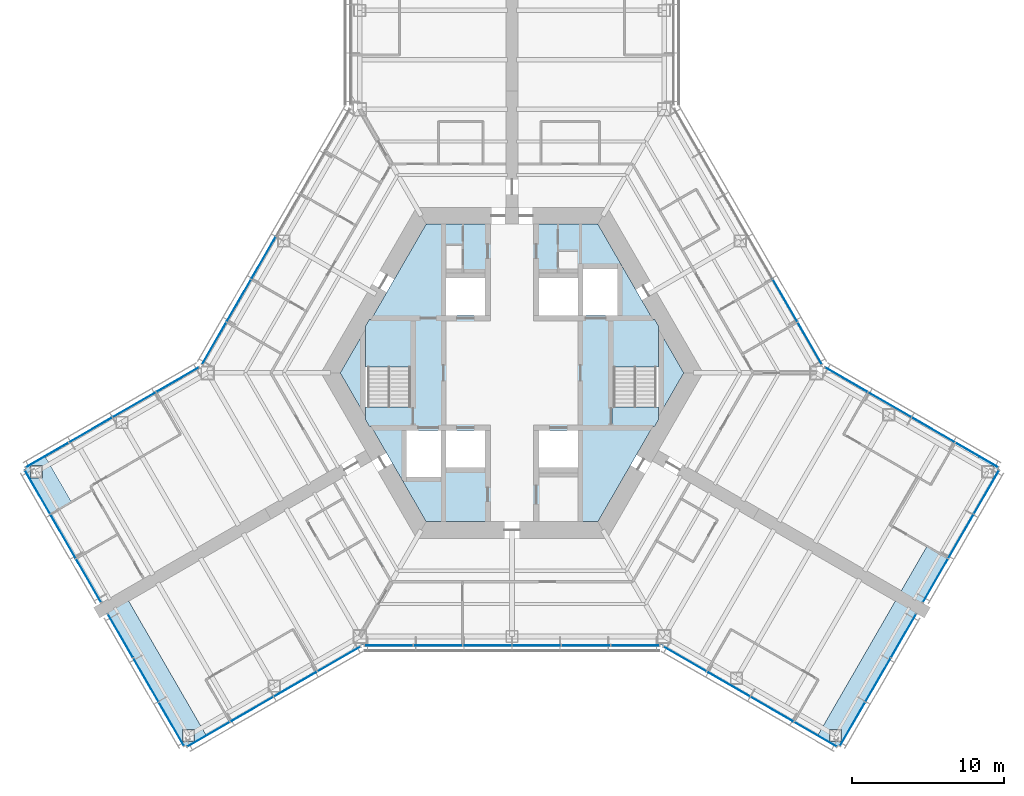
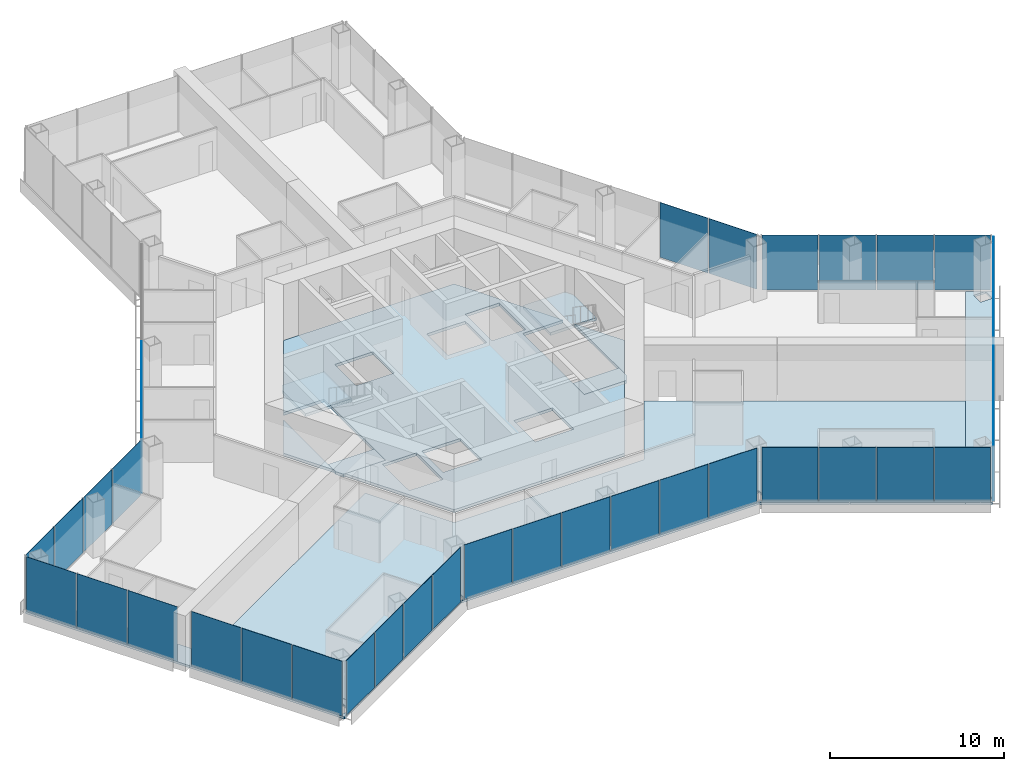
# One storey, part 10 of 19: 39 plates, 10 slabs, 13 elements without a shape of their own.
"""IFC4 building model written with IfcOpenShell, lengths in metres."""

from ifc_helpers import new_model, si_unit, direction, frame, origin, origin_2d, place, context, subcontext, project, spatial, polyline, rectangle, outline, extrude, material, layer, layer_set, type_object, element, aggregate, save


model = new_model("IFC4")

# Units and contexts
model_context = context("Model", 3, precision=1e-05, world=origin(), true_north=direction((0.0, 1.0)))
body_context = subcontext(model_context, "Body", "Model", "MODEL_VIEW")
ifc_project = project(units=[si_unit("LENGTHUNIT", "METRE"), si_unit("AREAUNIT", "SQUARE_METRE"), si_unit("VOLUMEUNIT", "CUBIC_METRE"), si_unit("PLANEANGLEUNIT", "RADIAN"), si_unit("MASSUNIT", "GRAM", prefix="KILO")], contexts=[model_context])

# Site, building, storey
site_placement = place(None, origin())
site = spatial("IfcSite", under=ifc_project, at=site_placement, CompositionType="ELEMENT")
building_placement = place(site_placement, origin())
building = spatial("IfcBuilding", under=site, at=building_placement, Name="Kasaneha Research Tower", CompositionType="ELEMENT")
storey_placement = place(building_placement, frame((0.0, 0.0, 104.10009765625)))
storey = spatial("IfcBuildingStorey", under=building, at=storey_placement, Name="L26", CompositionType="ELEMENT", Elevation=104.10009765625)

# Curtain wall, plates
ifc_material_1 = material(Name="Glass and aluminium", Category="aluminium")
curtain_wall_type = type_object("IfcCurtainWallType", Name="Low-rise office curtain wall", PredefinedType="USERDEFINED", material=ifc_material_1)
curtain_wall_1_placement = place(storey_placement, origin())
curtain_wall_1 = element("IfcCurtainWall", 1, at=curtain_wall_1_placement, inside=storey, type_object=curtain_wall_type, Name="CW-O1 L26 run 01a", ObjectType="UNITISED CURTAIN WALL", PredefinedType="USERDEFINED")
ifc_material_2 = material(Name="Laminated double glazing", Category="glass")
ifc_layer_1 = layer(ifc_material_2, 0.028076171875)
ifc_layer_set_1 = layer_set([ifc_layer_1], Name="CW-O1 glazed panel")
plate_type = type_object("IfcPlateType", Name="CW-O1 glazed panel", PredefinedType="CURTAIN_PANEL", material=ifc_layer_set_1)
plate_1_placement = place(storey_placement, frame((-19.945068359375, -23.755126953125, 0.06005859375), z_axis=(0.0, 0.0, 1.0), x_axis=(0.866025411464, 0.499999986699, 0.0)))
plate_1 = element("IfcPlate", 2, at=plate_1_placement, type_object=plate_type, Name="CW-O1 panel 1", PredefinedType="CURTAIN_PANEL", context=body_context, shape_type="SweptSolid", body=[
    extrude(rectangle(XDim=3.2197265625, YDim=0.028076171875, at=origin_2d()), origin(), (0.0, 0.0, 1.0), 3.840087890625),
])
plate_2_placement = place(storey_placement, frame((-17.091796875, -22.107666015625, 0.06005859375), z_axis=(0.0, 0.0, 1.0), x_axis=(0.866025411464, 0.499999986699, 0.0)))
plate_2 = element("IfcPlate", 3, at=plate_2_placement, type_object=plate_type, Name="CW-O1 panel 2", PredefinedType="CURTAIN_PANEL", context=body_context, shape_type="SweptSolid", body=[
    extrude(rectangle(XDim=3.249755859375, YDim=0.028076171875, at=origin_2d()), origin(), (0.0, 0.0, 1.0), 3.840087890625),
])
plate_3_placement = place(storey_placement, frame((-14.225341796875, -20.452880859375, 0.06005859375), z_axis=(0.0, 0.0, 1.0), x_axis=(0.866025411464, 0.499999986699, 0.0)))
plate_3 = element("IfcPlate", 4, at=plate_3_placement, type_object=plate_type, Name="CW-O1 panel 3", PredefinedType="CURTAIN_PANEL", context=body_context, shape_type="SweptSolid", body=[
    extrude(rectangle(XDim=3.249755859375, YDim=0.028076171875, at=origin_2d()), origin(), (0.0, 0.0, 1.0), 3.840087890625),
])
plate_4_placement = place(storey_placement, frame((-11.3720703125, -18.805419921875, 0.06005859375), z_axis=(0.0, 0.0, 1.0), x_axis=(0.866025411464, 0.499999986699, 0.0)))
plate_4 = element("IfcPlate", 5, at=plate_4_placement, type_object=plate_type, Name="CW-O1 panel 4", PredefinedType="CURTAIN_PANEL", context=body_context, shape_type="SweptSolid", body=[
    extrude(rectangle(XDim=3.2197265625, YDim=0.028076171875, at=origin_2d()), origin(), (0.0, 0.0, 1.0), 3.840087890625),
])
aggregate(curtain_wall_1, [plate_1, plate_2, plate_3, plate_4])

curtain_wall_2_placement = place(storey_placement, origin())
curtain_wall_2 = element("IfcCurtainWall", 6, at=curtain_wall_2_placement, inside=storey, type_object=curtain_wall_type, Name="CW-O1 L26 run 02a", ObjectType="UNITISED CURTAIN WALL", PredefinedType="USERDEFINED")
plate_5_placement = place(storey_placement, frame((-8.10107421875, -17.92041015625, 0.06005859375), z_axis=(0.0, 0.0, 1.0), x_axis=(1.0, 0.0, 0.0)))
plate_5 = element("IfcPlate", 7, at=plate_5_placement, type_object=plate_type, Name="CW-O1 panel 1", PredefinedType="CURTAIN_PANEL", context=body_context, shape_type="SweptSolid", body=[
    extrude(rectangle(XDim=3.156494140625, YDim=0.028076171875, at=origin_2d()), origin(), (0.0, 0.0, 1.0), 3.840087890625),
])
plate_6_placement = place(storey_placement, frame((-4.86962890625, -17.92041015625, 0.06005859375), z_axis=(0.0, 0.0, 1.0), x_axis=(1.0, 0.0, 0.0)))
plate_6 = element("IfcPlate", 8, at=plate_6_placement, type_object=plate_type, Name="CW-O1 panel 2", PredefinedType="CURTAIN_PANEL", context=body_context, shape_type="SweptSolid", body=[
    extrude(rectangle(XDim=3.1865234375, YDim=0.028076171875, at=origin_2d()), origin(), (0.0, 0.0, 1.0), 3.840087890625),
])
plate_7_placement = place(storey_placement, frame((-1.623291015625, -17.92041015625, 0.06005859375), z_axis=(0.0, 0.0, 1.0), x_axis=(1.0, 0.0, 0.0)))
plate_7 = element("IfcPlate", 9, at=plate_7_placement, type_object=plate_type, Name="CW-O1 panel 3", PredefinedType="CURTAIN_PANEL", context=body_context, shape_type="SweptSolid", body=[
    extrude(rectangle(XDim=3.1865234375, YDim=0.028076171875, at=origin_2d()), origin(), (0.0, 0.0, 1.0), 3.840087890625),
])
plate_8_placement = place(storey_placement, frame((1.623291015625, -17.92041015625, 0.06005859375), z_axis=(0.0, 0.0, 1.0), x_axis=(1.0, 0.0, 0.0)))
plate_8 = element("IfcPlate", 10, at=plate_8_placement, type_object=plate_type, Name="CW-O1 panel 4", PredefinedType="CURTAIN_PANEL", context=body_context, shape_type="SweptSolid", body=[
    extrude(rectangle(XDim=3.1865234375, YDim=0.028076171875, at=origin_2d()), origin(), (0.0, 0.0, 1.0), 3.840087890625),
])
plate_9_placement = place(storey_placement, frame((4.86962890625, -17.92041015625, 0.06005859375), z_axis=(0.0, 0.0, 1.0), x_axis=(1.0, 0.0, 0.0)))
plate_9 = element("IfcPlate", 11, at=plate_9_placement, type_object=plate_type, Name="CW-O1 panel 5", PredefinedType="CURTAIN_PANEL", context=body_context, shape_type="SweptSolid", body=[
    extrude(rectangle(XDim=3.1865234375, YDim=0.028076171875, at=origin_2d()), origin(), (0.0, 0.0, 1.0), 3.840087890625),
])
plate_10_placement = place(storey_placement, frame((8.10107421875, -17.92041015625, 0.06005859375), z_axis=(0.0, 0.0, 1.0), x_axis=(1.0, 0.0, 0.0)))
plate_10 = element("IfcPlate", 12, at=plate_10_placement, type_object=plate_type, Name="CW-O1 panel 6", PredefinedType="CURTAIN_PANEL", context=body_context, shape_type="SweptSolid", body=[
    extrude(rectangle(XDim=3.156494140625, YDim=0.028076171875, at=origin_2d()), origin(), (0.0, 0.0, 1.0), 3.840087890625),
])
aggregate(curtain_wall_2, [plate_5, plate_6, plate_7, plate_8, plate_9, plate_10])

curtain_wall_3_placement = place(storey_placement, origin())
curtain_wall_3 = element("IfcCurtainWall", 13, at=curtain_wall_3_placement, inside=storey, type_object=curtain_wall_type, Name="CW-O1 L26 run 03a", ObjectType="UNITISED CURTAIN WALL", PredefinedType="USERDEFINED")
plate_11_placement = place(storey_placement, frame((11.3720703125, -18.805419921875, 0.06005859375), z_axis=(0.0, 0.0, 1.0), x_axis=(0.866025411464, -0.499999986699, 0.0)))
plate_11 = element("IfcPlate", 14, at=plate_11_placement, type_object=plate_type, Name="CW-O1 panel 1", PredefinedType="CURTAIN_PANEL", context=body_context, shape_type="SweptSolid", body=[
    extrude(rectangle(XDim=3.2197265625, YDim=0.028076171875, at=origin_2d()), origin(), (0.0, 0.0, 1.0), 3.840087890625),
])
plate_12_placement = place(storey_placement, frame((14.225341796875, -20.452880859375, 0.06005859375), z_axis=(0.0, 0.0, 1.0), x_axis=(0.866025411464, -0.499999986699, 0.0)))
plate_12 = element("IfcPlate", 15, at=plate_12_placement, type_object=plate_type, Name="CW-O1 panel 2", PredefinedType="CURTAIN_PANEL", context=body_context, shape_type="SweptSolid", body=[
    extrude(rectangle(XDim=3.249755859375, YDim=0.028076171875, at=origin_2d()), origin(), (0.0, 0.0, 1.0), 3.840087890625),
])
plate_13_placement = place(storey_placement, frame((17.091796875, -22.107666015625, 0.06005859375), z_axis=(0.0, 0.0, 1.0), x_axis=(0.866025411464, -0.499999986699, 0.0)))
plate_13 = element("IfcPlate", 16, at=plate_13_placement, type_object=plate_type, Name="CW-O1 panel 3", PredefinedType="CURTAIN_PANEL", context=body_context, shape_type="SweptSolid", body=[
    extrude(rectangle(XDim=3.249755859375, YDim=0.028076171875, at=origin_2d()), origin(), (0.0, 0.0, 1.0), 3.840087890625),
])
plate_14_placement = place(storey_placement, frame((19.945068359375, -23.755126953125, 0.06005859375), z_axis=(0.0, 0.0, 1.0), x_axis=(0.866025411464, -0.499999986699, 0.0)))
plate_14 = element("IfcPlate", 17, at=plate_14_placement, type_object=plate_type, Name="CW-O1 panel 4", PredefinedType="CURTAIN_PANEL", context=body_context, shape_type="SweptSolid", body=[
    extrude(rectangle(XDim=3.2197265625, YDim=0.028076171875, at=origin_2d()), origin(), (0.0, 0.0, 1.0), 3.840087890625),
])
aggregate(curtain_wall_3, [plate_11, plate_12, plate_13, plate_14])

curtain_wall_4_placement = place(storey_placement, origin())
curtain_wall_4 = element("IfcCurtainWall", 18, at=curtain_wall_4_placement, inside=storey, type_object=curtain_wall_type, Name="CW-O1 L26 run 04a", ObjectType="UNITISED CURTAIN WALL", PredefinedType="USERDEFINED")
plate_15_placement = place(storey_placement, frame((22.377197265625, -23.082763671875, 0.06005859375), z_axis=(0.0, 0.0, 1.0), x_axis=(0.500000011442, 0.866025397178, 0.0)))
plate_15 = element("IfcPlate", 19, at=plate_15_placement, type_object=plate_type, Name="CW-O1 panel 1", PredefinedType="CURTAIN_PANEL", context=body_context, shape_type="SweptSolid", body=[
    extrude(rectangle(XDim=3.276611328125, YDim=0.028076171875, at=origin_2d()), origin(), (0.0, 0.0, 1.0), 3.840087890625),
])
plate_16_placement = place(storey_placement, frame((24.052978515625, -20.18017578125, 0.06005859375), z_axis=(0.0, 0.0, 1.0), x_axis=(0.500000011442, 0.866025397178, 0.0)))
plate_16 = element("IfcPlate", 20, at=plate_16_placement, type_object=plate_type, Name="CW-O1 panel 2", PredefinedType="CURTAIN_PANEL", context=body_context, shape_type="SweptSolid", body=[
    extrude(rectangle(XDim=3.306640625, YDim=0.028076171875, at=origin_2d()), origin(), (0.0, 0.0, 1.0), 3.840087890625),
])
plate_17_placement = place(storey_placement, frame((25.728759765625, -17.27734375, 0.06005859375), z_axis=(0.0, 0.0, 1.0), x_axis=(0.500000011442, 0.866025397178, 0.0)))
plate_17 = element("IfcPlate", 21, at=plate_17_placement, type_object=plate_type, Name="CW-O1 panel 3", PredefinedType="CURTAIN_PANEL", context=body_context, shape_type="SweptSolid", body=[
    extrude(rectangle(XDim=3.276611328125, YDim=0.028076171875, at=origin_2d()), origin(), (0.0, 0.0, 1.0), 3.840087890625),
])
aggregate(curtain_wall_4, [plate_15, plate_16, plate_17])

curtain_wall_5_placement = place(storey_placement, origin())
curtain_wall_5 = element("IfcCurtainWall", 22, at=curtain_wall_5_placement, inside=storey, type_object=curtain_wall_type, Name="CW-O1 L26 run 05a", ObjectType="UNITISED CURTAIN WALL", PredefinedType="USERDEFINED")
plate_18_placement = place(storey_placement, frame((27.8271484375, -13.64306640625, 0.06005859375), z_axis=(0.0, 0.0, 1.0), x_axis=(0.500000011442, 0.866025397178, 0.0)))
plate_18 = element("IfcPlate", 23, at=plate_18_placement, type_object=plate_type, Name="CW-O1 panel 1", PredefinedType="CURTAIN_PANEL", context=body_context, shape_type="SweptSolid", body=[
    extrude(rectangle(XDim=3.276611328125, YDim=0.028076171875, at=origin_2d()), origin(), (0.0, 0.0, 1.0), 3.840087890625),
])
plate_19_placement = place(storey_placement, frame((29.5029296875, -10.740478515625, 0.06005859375), z_axis=(0.0, 0.0, 1.0), x_axis=(0.500000011442, 0.866025397178, 0.0)))
plate_19 = element("IfcPlate", 24, at=plate_19_placement, type_object=plate_type, Name="CW-O1 panel 2", PredefinedType="CURTAIN_PANEL", context=body_context, shape_type="SweptSolid", body=[
    extrude(rectangle(XDim=3.306640625, YDim=0.028076171875, at=origin_2d()), origin(), (0.0, 0.0, 1.0), 3.840087890625),
])
plate_20_placement = place(storey_placement, frame((31.1787109375, -7.837890625, 0.06005859375), z_axis=(0.0, 0.0, 1.0), x_axis=(0.500000011442, 0.866025397178, 0.0)))
plate_20 = element("IfcPlate", 25, at=plate_20_placement, type_object=plate_type, Name="CW-O1 panel 3", PredefinedType="CURTAIN_PANEL", context=body_context, shape_type="SweptSolid", body=[
    extrude(rectangle(XDim=3.276611328125, YDim=0.028076171875, at=origin_2d()), origin(), (0.0, 0.0, 1.0), 3.840087890625),
])
aggregate(curtain_wall_5, [plate_18, plate_19, plate_20])

curtain_wall_6_placement = place(storey_placement, origin())
curtain_wall_6 = element("IfcCurtainWall", 26, at=curtain_wall_6_placement, inside=storey, type_object=curtain_wall_type, Name="CW-O1 L26 run 06a", ObjectType="UNITISED CURTAIN WALL", PredefinedType="USERDEFINED")
plate_21_placement = place(storey_placement, frame((30.545166015625, -5.3955078125, 0.06005859375), z_axis=(0.0, 0.0, 1.0), x_axis=(-0.866025411464, 0.499999986699, 0.0)))
plate_21 = element("IfcPlate", 27, at=plate_21_placement, type_object=plate_type, Name="CW-O1 panel 1", PredefinedType="CURTAIN_PANEL", context=body_context, shape_type="SweptSolid", body=[
    extrude(rectangle(XDim=3.2197265625, YDim=0.028076171875, at=origin_2d()), origin(), (0.0, 0.0, 1.0), 3.840087890625),
])
plate_22_placement = place(storey_placement, frame((27.69189453125, -3.748046875, 0.06005859375), z_axis=(0.0, 0.0, 1.0), x_axis=(-0.866025411464, 0.499999986699, 0.0)))
plate_22 = element("IfcPlate", 28, at=plate_22_placement, type_object=plate_type, Name="CW-O1 panel 2", PredefinedType="CURTAIN_PANEL", context=body_context, shape_type="SweptSolid", body=[
    extrude(rectangle(XDim=3.249755859375, YDim=0.028076171875, at=origin_2d()), origin(), (0.0, 0.0, 1.0), 3.840087890625),
])
plate_23_placement = place(storey_placement, frame((24.825439453125, -2.093017578125, 0.06005859375), z_axis=(0.0, 0.0, 1.0), x_axis=(-0.866025411464, 0.499999986699, 0.0)))
plate_23 = element("IfcPlate", 29, at=plate_23_placement, type_object=plate_type, Name="CW-O1 panel 3", PredefinedType="CURTAIN_PANEL", context=body_context, shape_type="SweptSolid", body=[
    extrude(rectangle(XDim=3.249755859375, YDim=0.028076171875, at=origin_2d()), origin(), (0.0, 0.0, 1.0), 3.840087890625),
])
plate_24_placement = place(storey_placement, frame((21.971923828125, -0.44580078125, 0.06005859375), z_axis=(0.0, 0.0, 1.0), x_axis=(-0.866025411464, 0.499999986699, 0.0)))
plate_24 = element("IfcPlate", 30, at=plate_24_placement, type_object=plate_type, Name="CW-O1 panel 4", PredefinedType="CURTAIN_PANEL", context=body_context, shape_type="SweptSolid", body=[
    extrude(rectangle(XDim=3.2197265625, YDim=0.028076171875, at=origin_2d()), origin(), (0.0, 0.0, 1.0), 3.840087890625),
])
aggregate(curtain_wall_6, [plate_21, plate_22, plate_23, plate_24])

curtain_wall_7_placement = place(storey_placement, origin())
curtain_wall_7 = element("IfcCurtainWall", 31, at=curtain_wall_7_placement, inside=storey, type_object=curtain_wall_type, Name="CW-O1 L26 run 07a", ObjectType="UNITISED CURTAIN WALL", PredefinedType="USERDEFINED")
plate_25_placement = place(storey_placement, frame((19.570068359375, 1.944580078125, 0.06005859375), z_axis=(0.0, 0.0, 1.0), x_axis=(-0.49999996188, 0.866025425793, 0.0)))
plate_25 = element("IfcPlate", 32, at=plate_25_placement, type_object=plate_type, Name="CW-O1 panel 1", PredefinedType="CURTAIN_PANEL", context=body_context, shape_type="SweptSolid", body=[
    extrude(rectangle(XDim=3.156494140625, YDim=0.028076171875, at=origin_2d()), origin(), (0.0, 0.0, 1.0), 3.840087890625),
])
plate_26_placement = place(storey_placement, frame((17.954345703125, 4.7431640625, 0.06005859375), z_axis=(0.0, 0.0, 1.0), x_axis=(-0.49999996188, 0.866025425793, 0.0)))
plate_26 = element("IfcPlate", 33, at=plate_26_placement, type_object=plate_type, Name="CW-O1 panel 2", PredefinedType="CURTAIN_PANEL", context=body_context, shape_type="SweptSolid", body=[
    extrude(rectangle(XDim=3.1865234375, YDim=0.028076171875, at=origin_2d()), origin(), (0.0, 0.0, 1.0), 3.840087890625),
])
aggregate(curtain_wall_7, [plate_25, plate_26])

curtain_wall_8_placement = place(storey_placement, origin())
curtain_wall_8 = element("IfcCurtainWall", 34, at=curtain_wall_8_placement, inside=storey, type_object=curtain_wall_type, Name="CW-O1 L26 run 12a", ObjectType="UNITISED CURTAIN WALL", PredefinedType="USERDEFINED")
plate_27_placement = place(storey_placement, frame((-16.331298828125, 7.554443359375, 0.06005859375), z_axis=(0.0, 0.0, 1.0), x_axis=(-0.49999996188, -0.866025425793, 0.0)))
plate_27 = element("IfcPlate", 35, at=plate_27_placement, type_object=plate_type, Name="CW-O1 panel 4", PredefinedType="CURTAIN_PANEL", context=body_context, shape_type="SweptSolid", body=[
    extrude(rectangle(XDim=3.1865234375, YDim=0.028076171875, at=origin_2d()), origin(), (0.0, 0.0, 1.0), 3.840087890625),
])
plate_28_placement = place(storey_placement, frame((-17.954345703125, 4.7431640625, 0.06005859375), z_axis=(0.0, 0.0, 1.0), x_axis=(-0.49999996188, -0.866025425793, 0.0)))
plate_28 = element("IfcPlate", 36, at=plate_28_placement, type_object=plate_type, Name="CW-O1 panel 5", PredefinedType="CURTAIN_PANEL", context=body_context, shape_type="SweptSolid", body=[
    extrude(rectangle(XDim=3.1865234375, YDim=0.028076171875, at=origin_2d()), origin(), (0.0, 0.0, 1.0), 3.840087890625),
])
plate_29_placement = place(storey_placement, frame((-19.570068359375, 1.944580078125, 0.06005859375), z_axis=(0.0, 0.0, 1.0), x_axis=(-0.49999996188, -0.866025425793, 0.0)))
plate_29 = element("IfcPlate", 37, at=plate_29_placement, type_object=plate_type, Name="CW-O1 panel 6", PredefinedType="CURTAIN_PANEL", context=body_context, shape_type="SweptSolid", body=[
    extrude(rectangle(XDim=3.156494140625, YDim=0.028076171875, at=origin_2d()), origin(), (0.0, 0.0, 1.0), 3.840087890625),
])
aggregate(curtain_wall_8, [plate_27, plate_28, plate_29])

curtain_wall_9_placement = place(storey_placement, origin())
curtain_wall_9 = element("IfcCurtainWall", 38, at=curtain_wall_9_placement, inside=storey, type_object=curtain_wall_type, Name="CW-O1 L26 run 13a", ObjectType="UNITISED CURTAIN WALL", PredefinedType="USERDEFINED")
plate_30_placement = place(storey_placement, frame((-21.971923828125, -0.44580078125, 0.06005859375), z_axis=(0.0, 0.0, 1.0), x_axis=(-0.866025411464, -0.499999986699, 0.0)))
plate_30 = element("IfcPlate", 39, at=plate_30_placement, type_object=plate_type, Name="CW-O1 panel 1", PredefinedType="CURTAIN_PANEL", context=body_context, shape_type="SweptSolid", body=[
    extrude(rectangle(XDim=3.2197265625, YDim=0.028076171875, at=origin_2d()), origin(), (0.0, 0.0, 1.0), 3.840087890625),
])
plate_31_placement = place(storey_placement, frame((-24.825439453125, -2.093017578125, 0.06005859375), z_axis=(0.0, 0.0, 1.0), x_axis=(-0.866025411464, -0.499999986699, 0.0)))
plate_31 = element("IfcPlate", 40, at=plate_31_placement, type_object=plate_type, Name="CW-O1 panel 2", PredefinedType="CURTAIN_PANEL", context=body_context, shape_type="SweptSolid", body=[
    extrude(rectangle(XDim=3.249755859375, YDim=0.028076171875, at=origin_2d()), origin(), (0.0, 0.0, 1.0), 3.840087890625),
])
plate_32_placement = place(storey_placement, frame((-27.69189453125, -3.748046875, 0.06005859375), z_axis=(0.0, 0.0, 1.0), x_axis=(-0.866025411464, -0.499999986699, 0.0)))
plate_32 = element("IfcPlate", 41, at=plate_32_placement, type_object=plate_type, Name="CW-O1 panel 3", PredefinedType="CURTAIN_PANEL", context=body_context, shape_type="SweptSolid", body=[
    extrude(rectangle(XDim=3.249755859375, YDim=0.028076171875, at=origin_2d()), origin(), (0.0, 0.0, 1.0), 3.840087890625),
])
plate_33_placement = place(storey_placement, frame((-30.545166015625, -5.3955078125, 0.06005859375), z_axis=(0.0, 0.0, 1.0), x_axis=(-0.866025411464, -0.499999986699, 0.0)))
plate_33 = element("IfcPlate", 42, at=plate_33_placement, type_object=plate_type, Name="CW-O1 panel 4", PredefinedType="CURTAIN_PANEL", context=body_context, shape_type="SweptSolid", body=[
    extrude(rectangle(XDim=3.2197265625, YDim=0.028076171875, at=origin_2d()), origin(), (0.0, 0.0, 1.0), 3.840087890625),
])
aggregate(curtain_wall_9, [plate_30, plate_31, plate_32, plate_33])

curtain_wall_10_placement = place(storey_placement, origin())
curtain_wall_10 = element("IfcCurtainWall", 43, at=curtain_wall_10_placement, inside=storey, type_object=curtain_wall_type, Name="CW-O1 L26 run 14a", ObjectType="UNITISED CURTAIN WALL", PredefinedType="USERDEFINED")
plate_34_placement = place(storey_placement, frame((-31.1787109375, -7.837890625, 0.06005859375), z_axis=(0.0, 0.0, 1.0), x_axis=(0.500000011442, -0.866025397178, 0.0)))
plate_34 = element("IfcPlate", 44, at=plate_34_placement, type_object=plate_type, Name="CW-O1 panel 1", PredefinedType="CURTAIN_PANEL", context=body_context, shape_type="SweptSolid", body=[
    extrude(rectangle(XDim=3.276611328125, YDim=0.028076171875, at=origin_2d()), origin(), (0.0, 0.0, 1.0), 3.840087890625),
])
plate_35_placement = place(storey_placement, frame((-29.5029296875, -10.740478515625, 0.06005859375), z_axis=(0.0, 0.0, 1.0), x_axis=(0.500000011442, -0.866025397178, 0.0)))
plate_35 = element("IfcPlate", 45, at=plate_35_placement, type_object=plate_type, Name="CW-O1 panel 2", PredefinedType="CURTAIN_PANEL", context=body_context, shape_type="SweptSolid", body=[
    extrude(rectangle(XDim=3.306640625, YDim=0.028076171875, at=origin_2d()), origin(), (0.0, 0.0, 1.0), 3.840087890625),
])
plate_36_placement = place(storey_placement, frame((-27.8271484375, -13.64306640625, 0.06005859375), z_axis=(0.0, 0.0, 1.0), x_axis=(0.500000011442, -0.866025397178, 0.0)))
plate_36 = element("IfcPlate", 46, at=plate_36_placement, type_object=plate_type, Name="CW-O1 panel 3", PredefinedType="CURTAIN_PANEL", context=body_context, shape_type="SweptSolid", body=[
    extrude(rectangle(XDim=3.276611328125, YDim=0.028076171875, at=origin_2d()), origin(), (0.0, 0.0, 1.0), 3.840087890625),
])
aggregate(curtain_wall_10, [plate_34, plate_35, plate_36])

curtain_wall_11_placement = place(storey_placement, origin())
curtain_wall_11 = element("IfcCurtainWall", 47, at=curtain_wall_11_placement, inside=storey, type_object=curtain_wall_type, Name="CW-O1 L26 run 15a", ObjectType="UNITISED CURTAIN WALL", PredefinedType="USERDEFINED")
plate_37_placement = place(storey_placement, frame((-25.728759765625, -17.27734375, 0.06005859375), z_axis=(0.0, 0.0, 1.0), x_axis=(0.500000011442, -0.866025397178, 0.0)))
plate_37 = element("IfcPlate", 48, at=plate_37_placement, type_object=plate_type, Name="CW-O1 panel 1", PredefinedType="CURTAIN_PANEL", context=body_context, shape_type="SweptSolid", body=[
    extrude(rectangle(XDim=3.276611328125, YDim=0.028076171875, at=origin_2d()), origin(), (0.0, 0.0, 1.0), 3.840087890625),
])
plate_38_placement = place(storey_placement, frame((-24.052978515625, -20.18017578125, 0.06005859375), z_axis=(0.0, 0.0, 1.0), x_axis=(0.500000011442, -0.866025397178, 0.0)))
plate_38 = element("IfcPlate", 49, at=plate_38_placement, type_object=plate_type, Name="CW-O1 panel 2", PredefinedType="CURTAIN_PANEL", context=body_context, shape_type="SweptSolid", body=[
    extrude(rectangle(XDim=3.306640625, YDim=0.028076171875, at=origin_2d()), origin(), (0.0, 0.0, 1.0), 3.840087890625),
])
plate_39_placement = place(storey_placement, frame((-22.377197265625, -23.082763671875, 0.06005859375), z_axis=(0.0, 0.0, 1.0), x_axis=(0.500000011442, -0.866025397178, 0.0)))
plate_39 = element("IfcPlate", 50, at=plate_39_placement, type_object=plate_type, Name="CW-O1 panel 3", PredefinedType="CURTAIN_PANEL", context=body_context, shape_type="SweptSolid", body=[
    extrude(rectangle(XDim=3.276611328125, YDim=0.028076171875, at=origin_2d()), origin(), (0.0, 0.0, 1.0), 3.840087890625),
])
aggregate(curtain_wall_11, [plate_37, plate_38, plate_39])

# Slabs
ifc_material_3 = material(Name="Concrete Fc24", Category="concrete")
ifc_layer_2 = layer(ifc_material_3, 0.199951171875)
ifc_layer_set_2 = layer_set([ifc_layer_2], Name="Core floor slab 200")
slab_type_1 = type_object("IfcSlabType", Name="Core floor slab 200", PredefinedType="FLOOR", material=ifc_layer_set_2)
slab_1_placement = place(storey_placement, frame((0.0, 0.0, -0.2001953125)))
element("IfcSlab", 51, at=slab_1_placement, inside=storey, type_object=slab_type_1, Name="Core slab L26", PredefinedType="FLOOR", context=body_context, shape_type="SweptSolid", body=[
    extrude(outline(polyline([(-11.287109375, 0.0), (-9.625, 2.87890625), (-9.625, -2.87890625), (-11.287109375, 0.0)])), origin(), (0.0, 0.0, 1.0), 0.2001953125),
])
slab_2_placement = place(storey_placement, frame((0.0, 0.0, -0.2001953125)))
element("IfcSlab", 52, at=slab_2_placement, inside=storey, type_object=slab_type_1, Name="Core slab L26", PredefinedType="FLOOR", context=body_context, shape_type="SweptSolid", body=[
    extrude(outline(polyline([(-5.6435546875, 9.77490234375), (5.6435546875, 9.77490234375), (9.251953125, 3.52490234375), (6.574951171875, 3.52490234375), (6.574951171875, -3.52490234375), (9.251953125, -3.52490234375), (5.6435546875, -9.77490234375), (-5.6435546875, -9.77490234375), (-9.251953125, -3.52490234375), (-6.574951171875, -3.52490234375), (-6.574951171875, 3.52490234375), (-9.251953125, 3.52490234375), (-5.6435546875, 9.77490234375)]), holes=[polyline([(-6.925048828125, -3.77490234375), (-6.925048828125, -6.824951171875), (-4.675048828125, -6.824951171875), (-4.675048828125, -3.77490234375), (-6.925048828125, -3.77490234375)]), polyline([(-4.324951171875, -3.77490234375), (-4.324951171875, -6.22509765625), (-1.77490234375, -6.22509765625), (-1.77490234375, -3.77490234375), (-4.324951171875, -3.77490234375)]), polyline([(1.77490234375, -3.77490234375), (1.77490234375, -6.22509765625), (4.324951171875, -6.22509765625), (4.324951171875, -3.77490234375), (1.77490234375, -3.77490234375)]), polyline([(-4.324951171875, 6.22509765625), (-4.324951171875, 3.77490234375), (-1.77490234375, 3.77490234375), (-1.77490234375, 6.22509765625), (-4.324951171875, 6.22509765625)]), polyline([(1.77490234375, 6.22509765625), (1.77490234375, 3.77490234375), (4.324951171875, 3.77490234375), (4.324951171875, 6.22509765625), (1.77490234375, 6.22509765625)]), polyline([(4.675048828125, 6.824951171875), (4.675048828125, 3.77490234375), (6.925048828125, 3.77490234375), (6.925048828125, 6.824951171875), (4.675048828125, 6.824951171875)])]), origin(), (0.0, 0.0, 1.0), 0.2001953125),
])
slab_3_placement = place(storey_placement, frame((0.0, 0.0, -0.2001953125)))
element("IfcSlab", 53, at=slab_3_placement, inside=storey, type_object=slab_type_1, Name="Core slab L26", PredefinedType="FLOOR", context=body_context, shape_type="SweptSolid", body=[
    extrude(outline(polyline([(11.287109375, 0.0), (9.625, -2.87890625), (9.625, 2.87890625), (11.287109375, 0.0)])), origin(), (0.0, 0.0, 1.0), 0.2001953125),
])
ifc_material_4 = material(Name="Concrete Fc24", Category="concrete")
ifc_layer_3 = layer(ifc_material_4, 0.14990234375)
ifc_layer_set_3 = layer_set([ifc_layer_3], Name="Floor slab 150")
slab_type_2 = type_object("IfcSlabType", Name="Floor slab 150", PredefinedType="FLOOR", material=ifc_layer_set_3)
slab_4_placement = place(storey_placement, frame((0.0, 0.0, -0.150146484375)))
element("IfcSlab", 54, at=slab_4_placement, inside=storey, type_object=slab_type_2, Name="Floor slab L26 1", PredefinedType="FLOOR", context=body_context, shape_type="SweptSolid", body=[
    extrude(outline(polyline([(-25.1923828125, -15.006591796875), (-25.18359375, -15.001708984375), (-20.108642578125, -23.791748046875), (-21.459716796875, -24.57177734375), (-21.65576171875, -24.232177734375), (-21.644287109375, -24.220703125), (-20.858154296875, -24.220703125), (-20.858154296875, -23.42041015625), (-21.658447265625, -23.42041015625), (-21.658447265625, -24.20654296875), (-21.666015625, -24.214111328125), (-31.65576171875, -6.91162109375), (-31.644287109375, -6.900146484375), (-30.858154296875, -6.900146484375), (-30.858154296875, -6.099853515625), (-31.658447265625, -6.099853515625), (-31.658447265625, -6.885986328125), (-31.666015625, -6.8935546875), (-32.009521484375, -6.298583984375), (-30.65869140625, -5.518798828125), (-25.583740234375, -14.308837890625), (-25.59228515625, -14.313720703125), (-25.1923828125, -15.006591796875)])), origin(), (0.0, 0.0, 1.0), 0.150146484375),
])
slab_5_placement = place(storey_placement, frame((0.0, 0.0, -0.150146484375)))
element("IfcSlab", 55, at=slab_5_placement, inside=storey, type_object=slab_type_2, Name="Floor slab L26 4", PredefinedType="FLOOR", context=body_context, shape_type="SweptSolid", body=[
    extrude(outline(polyline([(-6.278564453125, -10.875), (6.278564453125, -10.875), (9.218017578125, -5.783935546875), (25.18359375, -15.001708984375), (20.108642578125, -23.791748046875), (14.369384765625, -20.478271484375), (14.377197265625, -20.470703125), (15.163330078125, -20.470703125), (15.163330078125, -19.67041015625), (14.363037109375, -19.67041015625), (14.363037109375, -20.45654296875), (14.3515625, -20.468017578125), (9.8525390625, -17.87060546875), (-9.8525390625, -17.87060546875), (-15.217529296875, -20.968017578125), (-15.22900390625, -20.95654296875), (-15.22900390625, -20.17041015625), (-16.029296875, -20.17041015625), (-16.029296875, -20.970703125), (-15.2431640625, -20.970703125), (-15.235595703125, -20.978271484375), (-20.108642578125, -23.791748046875), (-25.18359375, -15.001708984375), (-9.218017578125, -5.783935546875), (-6.278564453125, -10.875)]), holes=[polyline([(0.39990234375, -17.720458984375), (0.39990234375, -16.92041015625), (-0.39990234375, -16.92041015625), (-0.39990234375, -17.720458984375), (0.39990234375, -17.720458984375)]), polyline([(-9.550048828125, -16.87060546875), (-10.449951171875, -16.87060546875), (-10.449951171875, -17.7705078125), (-9.550048828125, -17.7705078125), (-9.550048828125, -16.87060546875)]), polyline([(10.449951171875, -16.87060546875), (9.550048828125, -16.87060546875), (9.550048828125, -17.7705078125), (10.449951171875, -17.7705078125), (10.449951171875, -16.87060546875)])]), origin(), (0.0, 0.0, 1.0), 0.150146484375),
])
slab_6_placement = place(storey_placement, frame((0.0, 0.0, -0.150146484375)))
element("IfcSlab", 56, at=slab_6_placement, inside=storey, type_object=slab_type_2, Name="Floor slab L26 6", PredefinedType="FLOOR", context=body_context, shape_type="SweptSolid", body=[
    extrude(outline(polyline([(25.1923828125, -15.006591796875), (25.59228515625, -14.313720703125), (25.583740234375, -14.308837890625), (30.65869140625, -5.518798828125), (32.009521484375, -6.298583984375), (31.666015625, -6.8935546875), (31.658447265625, -6.885986328125), (31.658447265625, -6.099853515625), (30.858154296875, -6.099853515625), (30.858154296875, -6.900146484375), (31.644287109375, -6.900146484375), (31.65576171875, -6.91162109375), (21.666015625, -24.214111328125), (21.658447265625, -24.20654296875), (21.658447265625, -23.42041015625), (20.858154296875, -23.42041015625), (20.858154296875, -24.220703125), (21.644287109375, -24.220703125), (21.65576171875, -24.232177734375), (21.459716796875, -24.57177734375), (20.108642578125, -23.791748046875), (25.18359375, -15.001708984375), (25.1923828125, -15.006591796875)])), origin(), (0.0, 0.0, 1.0), 0.150146484375),
])

# Stair, slabs
ifc_material_5 = material(Name="Concrete Fc24", Category="concrete")
stair_type = type_object("IfcStairType", Name="Half-turn stair 22 risers", PredefinedType="HALF_TURN_STAIR", material=ifc_material_5)
stair_1_placement = place(storey_placement, origin())
stair_1 = element("IfcStair", 57, at=stair_1_placement, inside=storey, type_object=stair_type, Name="Stair 1 L26", PredefinedType="HALF_TURN_STAIR")
ifc_material_6 = material(Name="Concrete Fc24", Category="concrete")
ifc_layer_4 = layer(ifc_material_6, 0.199951171875)
ifc_layer_set_4 = layer_set([ifc_layer_4], Name="Stair 1 landing 200")
slab_type_3 = type_object("IfcSlabType", Name="Stair 1 landing 200", PredefinedType="LANDING", material=ifc_layer_set_4)
slab_7_placement = place(storey_placement, frame((0.0, 0.0, -0.2001953125)))
slab_7 = element("IfcSlab", 58, at=slab_7_placement, type_object=slab_type_3, Name="ST1-22R landing 1", PredefinedType="LANDING", context=body_context, shape_type="SweptSolid", body=[
    extrude(outline(polyline([(9.367431640625, -3.52490234375), (6.574951171875, -3.52490234375), (6.574951171875, -2.22509765625), (9.625, -2.22509765625), (9.625, -3.0791015625), (9.367431640625, -3.52490234375)])), origin(), (0.0, 0.0, 1.0), 0.2001953125),
])
slab_8_placement = place(storey_placement, frame((0.0, 0.0, 1.75)))
slab_8 = element("IfcSlab", 59, at=slab_8_placement, type_object=slab_type_3, Name="ST1-22R landing 2", PredefinedType="LANDING", context=body_context, shape_type="SweptSolid", body=[
    extrude(outline(polyline([(6.574951171875, 3.52490234375), (9.367431640625, 3.52490234375), (9.625, 3.0791015625), (9.625, 0.375), (6.574951171875, 0.375), (6.574951171875, 3.52490234375)])), origin(), (0.0, 0.0, 1.0), 0.199951171875),
])
aggregate(stair_1, [slab_7, slab_8])

stair_2_placement = place(storey_placement, origin())
stair_2 = element("IfcStair", 60, at=stair_2_placement, inside=storey, type_object=stair_type, Name="Stair 2 L26", PredefinedType="HALF_TURN_STAIR")
ifc_material_7 = material(Name="Concrete Fc24", Category="concrete")
ifc_layer_5 = layer(ifc_material_7, 0.199951171875)
ifc_layer_set_5 = layer_set([ifc_layer_5], Name="Stair 2 landing 200")
slab_type_4 = type_object("IfcSlabType", Name="Stair 2 landing 200", PredefinedType="LANDING", material=ifc_layer_set_5)
slab_9_placement = place(storey_placement, frame((0.0, 0.0, -0.2001953125)))
slab_9 = element("IfcSlab", 61, at=slab_9_placement, type_object=slab_type_4, Name="ST2-22R landing 1", PredefinedType="LANDING", context=body_context, shape_type="SweptSolid", body=[
    extrude(outline(polyline([(-6.574951171875, -3.52490234375), (-9.367431640625, -3.52490234375), (-9.625, -3.0791015625), (-9.625, -2.22509765625), (-6.574951171875, -2.22509765625), (-6.574951171875, -3.52490234375)])), origin(), (0.0, 0.0, 1.0), 0.2001953125),
])
slab_10_placement = place(storey_placement, frame((0.0, 0.0, 1.75)))
slab_10 = element("IfcSlab", 62, at=slab_10_placement, type_object=slab_type_4, Name="ST2-22R landing 2", PredefinedType="LANDING", context=body_context, shape_type="SweptSolid", body=[
    extrude(outline(polyline([(-6.574951171875, 0.375), (-9.625, 0.375), (-9.625, 3.0791015625), (-9.367431640625, 3.52490234375), (-6.574951171875, 3.52490234375), (-6.574951171875, 0.375)])), origin(), (0.0, 0.0, 1.0), 0.199951171875),
])
aggregate(stair_2, [slab_9, slab_10])

save(model, "model.ifc")
